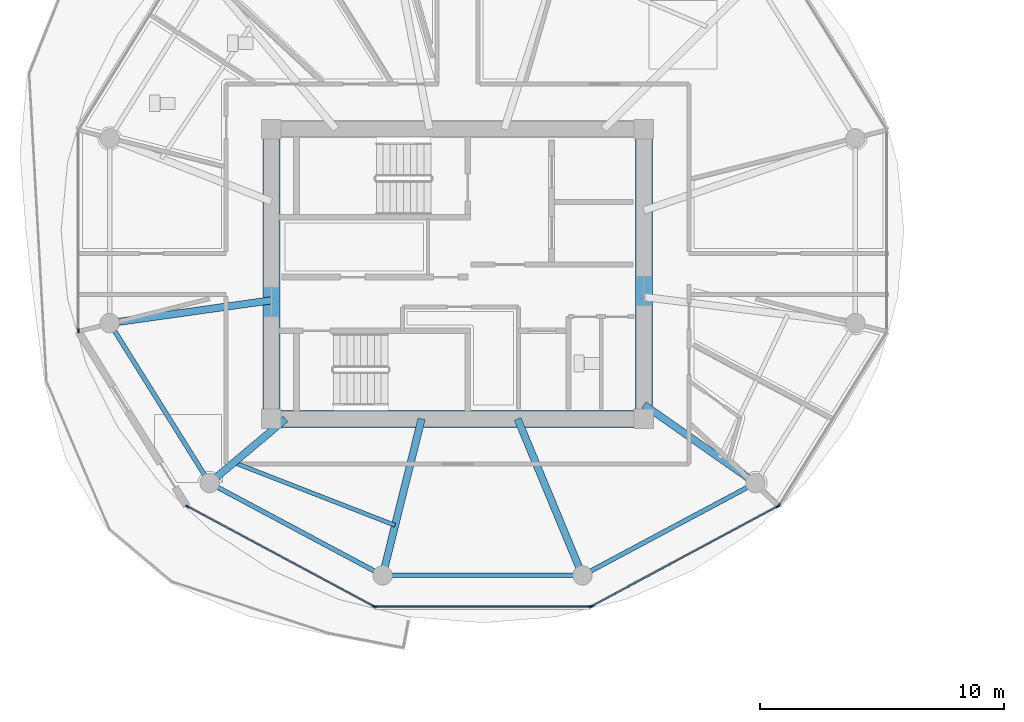
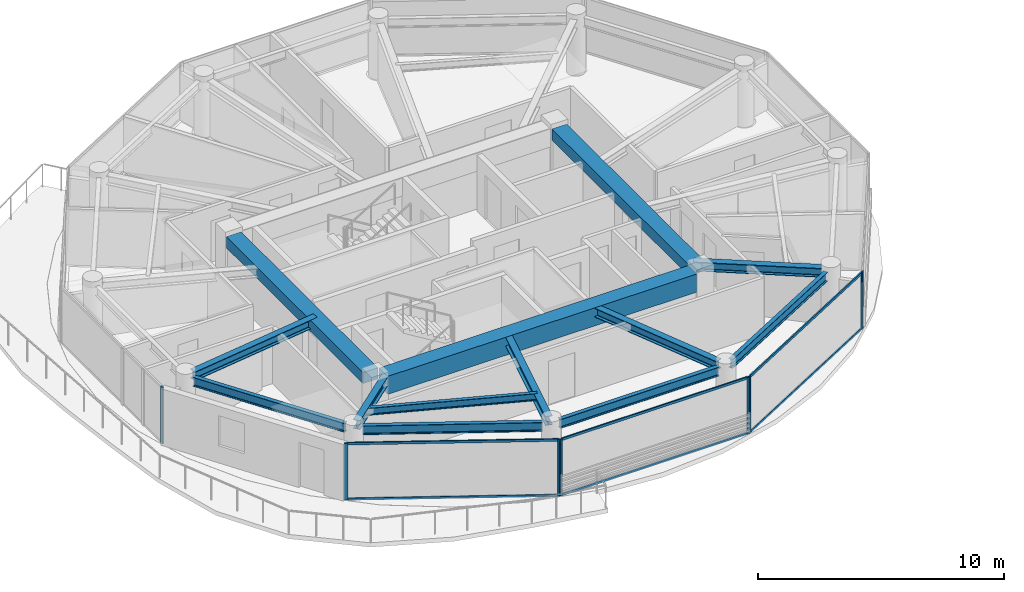
# One storey, part 2 of 25: 14 members, 13 beams, 5 elements without a shape of their own.
"""IFC4 building model written with IfcOpenShell, lengths in metres."""

from ifc_helpers import new_model, si_unit, direction, frame, origin, origin_2d, place, context, subcontext, project, spatial, rectangle, i_section, extrude, source, transform, mapped, material, layer, layer_set, material_profile, profile_set, type_object, type_shapes, element, aggregate, save


model = new_model("IFC4")

# Units and contexts
model_context = context("Model", 3, precision=1e-05, world=origin(), true_north=direction((0.0, 1.0)))
body_context = subcontext(model_context, "Body", "Model", "MODEL_VIEW")
ifc_project = project(units=[si_unit("LENGTHUNIT", "METRE"), si_unit("AREAUNIT", "SQUARE_METRE"), si_unit("VOLUMEUNIT", "CUBIC_METRE"), si_unit("PLANEANGLEUNIT", "RADIAN"), si_unit("MASSUNIT", "GRAM", prefix="KILO")], contexts=[model_context])

# Site, building, storey
site_placement = place(None, origin())
site = spatial("IfcSite", under=ifc_project, at=site_placement, CompositionType="ELEMENT")
building_placement = place(site_placement, origin())
building = spatial("IfcBuilding", under=site, at=building_placement, Name="Norrkilde Senior Care Towers", CompositionType="ELEMENT")
storey_placement = place(building_placement, frame((0.0, 0.0, 161.75)))
storey = spatial("IfcBuildingStorey", under=building, at=storey_placement, Name="L50", CompositionType="ELEMENT", Elevation=161.75)

# Beams
ifc_material_1 = material(Name="Concrete C60/75", Category="concrete")
ifc_material_profile_1 = material_profile(ifc_material_1, rectangle(XDim=0.699951171875, YDim=0.89990234375, at=origin_2d()), Name="RC BM 700x900")
ifc_profile_set_1 = profile_set([ifc_material_profile_1], Name="Concrete C60/75")
beam_type_1 = type_object("IfcBeamType", Name="Core Coupling Girder 700x900", PredefinedType="USERDEFINED", material=ifc_profile_set_1)
shared_shape_1 = source(origin(), body_context, "Body", "SweptSolid", [
    extrude(rectangle(XDim=0.699951171875, YDim=0.89990234375, at=origin_2d()), origin(), (0.0, 0.0, 1.0), 14.5400390625),
])
type_shapes(beam_type_1, [shared_shape_1])
beam_1_placement = place(storey_placement, frame((-35.27001953125, -5.949951171875, 2.360107421875), z_axis=(1.0, 0.0, 0.0), x_axis=(0.0, 1.0, 0.0)))
element("IfcBeam", 1, at=beam_1_placement, inside=storey, type_object=beam_type_1, Name="L50 Core W S Coupling Girder", ObjectType="GIRDER", PredefinedType="USERDEFINED", context=body_context, shape_type="MappedRepresentation", body=[
    mapped(shared_shape_1, transform((0.0, 0.0, 0.0), x_axis=(1.0, 0.0, 0.0), y_axis=(0.0, 1.0, 0.0), z_axis=(0.0, 0.0, 1.0), scale=1.0)),
])
ifc_material_profile_2 = material_profile(ifc_material_1, rectangle(XDim=0.699951171875, YDim=0.550048828125, at=origin_2d()), Name="RC BM 700x550")
ifc_profile_set_2 = profile_set([ifc_material_profile_2], Name="Concrete C60/75")
beam_type_2 = type_object("IfcBeamType", Name="Core Portal Coupling Beam 700x550", PredefinedType="USERDEFINED", material=ifc_profile_set_2)
shared_shape_2 = source(origin(), body_context, "Body", "SweptSolid", [
    extrude(rectangle(XDim=0.699951171875, YDim=0.550048828125, at=origin_2d()), origin(), (0.0, 0.0, 1.0), 11.14013671875),
])
type_shapes(beam_type_2, [shared_shape_2])
for number, where, z_axis, x_axis, name in (
    (2, (-35.64990234375, -5.570068359375, 2.534912109375), (0.0, 1.0, 0.0), (-1.0, 0.0, 0.0), "L50 Core W W Coupling Girder"),
    (3, (-20.35009765625, -5.570068359375, 2.534912109375), (0.0, 1.0, 0.0), (-1.0, 0.0, 0.0), "L50 Core W E Coupling Girder"),
):
    element("IfcBeam", number, at=place(storey_placement, frame(where, z_axis=z_axis, x_axis=x_axis)), inside=storey, type_object=beam_type_2, Name=name, ObjectType="GIRDER", PredefinedType="USERDEFINED", context=body_context, shape_type="MappedRepresentation", body=[
        mapped(shared_shape_2, transform((0.0, 0.0, 0.0), x_axis=(1.0, 0.0, 0.0), y_axis=(0.0, 1.0, 0.0), z_axis=(0.0, 0.0, 1.0), scale=1.0)),
    ])
ifc_material_2 = material(Name="Steel S355", Category="steel")
ifc_material_profile_3 = material_profile(ifc_material_2, i_section(OverallWidth=0.18994140625, OverallDepth=0.449951171875, WebThickness=0.009521484375, FlangeThickness=0.0146484375, FilletRadius=0.02099609375, at=origin_2d()), Name="IPE 450")
ifc_profile_set_3 = profile_set([ifc_material_profile_3], Name="Steel S355")
beam_type_3 = type_object("IfcBeamType", Name="Perimeter Ring Spandrel Z3 IPE450", PredefinedType="SPANDREL", material=ifc_profile_set_3)
shared_shape_3 = source(origin(), body_context, "Body", "SweptSolid", [
    extrude(i_section(OverallWidth=0.18994140625, OverallDepth=0.449951171875, WebThickness=0.009521484375, FlangeThickness=0.0146484375, FilletRadius=0.02099609375, at=origin_2d()), origin(), (0.0, 0.0, 1.0), 7.484619140625),
])
beam_2_placement = place(storey_placement, frame((-30.71728515625, -12.37548828125, 2.5849609375), z_axis=(1.0, 0.0, 0.0), x_axis=(0.0, 1.0, 0.0)))
element("IfcBeam", 4, at=beam_2_placement, inside=storey, type_object=beam_type_3, Name="L50 Drum W Perimeter Spandrel 09", PredefinedType="SPANDREL", context=body_context, shape_type="MappedRepresentation", body=[
    mapped(shared_shape_3, transform((0.0, 0.0, 0.0), x_axis=(1.0, 0.0, 0.0), y_axis=(0.0, 1.0, 0.0), z_axis=(0.0, 0.0, 1.0), scale=1.0)),
])
shared_shape_4 = source(origin(), body_context, "Body", "SweptSolid", [
    extrude(i_section(OverallWidth=0.18994140625, OverallDepth=0.449951171875, WebThickness=0.009521484375, FlangeThickness=0.0146484375, FilletRadius=0.02099609375, at=origin_2d()), origin(), (0.0, 0.0, 1.0), 7.023193359375),
])
beam_3_placement = place(storey_placement, frame((-42.09423828125, -2.32177734375, 2.5849609375), z_axis=(0.529805197269, -0.848119362441, 0.0), x_axis=(0.848119362441, 0.529805197269, 0.0)))
element("IfcBeam", 5, at=beam_3_placement, inside=storey, type_object=beam_type_3, Name="L50 Drum W Perimeter Spandrel 07", PredefinedType="SPANDREL", context=body_context, shape_type="MappedRepresentation", body=[
    mapped(shared_shape_4, transform((0.0, 0.0, 0.0), x_axis=(1.0, 0.0, 0.0), y_axis=(0.0, 1.0, 0.0), z_axis=(0.0, 0.0, 1.0), scale=1.0)),
])
ifc_material_profile_4 = material_profile(ifc_material_2, i_section(OverallWidth=0.300048828125, OverallDepth=0.449951171875, WebThickness=0.013916015625, FlangeThickness=0.02587890625, FilletRadius=0.027099609375, at=origin_2d()), Name="HEB 450")
ifc_profile_set_4 = profile_set([ifc_material_profile_4], Name="Steel S355")
beam_type_4 = type_object("IfcBeamType", Name="Radial Floor Beam Z3 HEB450", PredefinedType="BEAM", material=ifc_profile_set_4)
shared_shape_5 = source(origin(), body_context, "Body", "SweptSolid", [
    extrude(i_section(OverallWidth=0.300048828125, OverallDepth=0.449951171875, WebThickness=0.013916015625, FlangeThickness=0.02587890625, FilletRadius=0.027099609375, at=origin_2d()), origin(), (0.0, 0.0, 1.0), 6.3408203125),
])
beam_4_placement = place(storey_placement, frame((-35.64990234375, -1.079833984375, 2.5849609375), z_axis=(-0.990184519576, -0.139766294905, 0.0), x_axis=(0.139766294905, -0.990184519576, 0.0)))
element("IfcBeam", 6, at=beam_4_placement, inside=storey, type_object=beam_type_4, Name="L50 Drum W Radial Floor Beam 07", PredefinedType="BEAM", context=body_context, shape_type="MappedRepresentation", body=[
    mapped(shared_shape_5, transform((0.0, 0.0, 0.0), x_axis=(1.0, 0.0, 0.0), y_axis=(0.0, 1.0, 0.0), z_axis=(0.0, 0.0, 1.0), scale=1.0)),
])
shared_shape_6 = source(origin(), body_context, "Body", "SweptSolid", [
    extrude(i_section(OverallWidth=0.18994140625, OverallDepth=0.449951171875, WebThickness=0.009521484375, FlangeThickness=0.0146484375, FilletRadius=0.02099609375, at=origin_2d()), origin(), (0.0, 0.0, 1.0), 7.333984375),
])
type_shapes(beam_type_3, [shared_shape_3, shared_shape_4, shared_shape_6])
for number, where, z_axis, x_axis, name in (
    (7, (-37.864990234375, -8.753173828125, 2.5849609375), (0.882234038987, -0.470811109101, 0.0), (0.470811109101, 0.882234038987, 0.0), "L50 Drum W Perimeter Spandrel 08"),
    (8, (-22.55517578125, -12.2060546875, 2.5849609375), (0.882234038987, 0.470811109101, 0.0), (-0.470811109101, 0.882234038987, 0.0), "L50 Drum W Perimeter Spandrel 10"),
):
    element("IfcBeam", number, at=place(storey_placement, frame(where, z_axis=z_axis, x_axis=x_axis)), inside=storey, type_object=beam_type_3, Name=name, PredefinedType="SPANDREL", context=body_context, shape_type="MappedRepresentation", body=[
        mapped(shared_shape_6, transform((0.0, 0.0, 0.0), x_axis=(1.0, 0.0, 0.0), y_axis=(0.0, 1.0, 0.0), z_axis=(0.0, 0.0, 1.0), scale=1.0)),
    ])
shared_shape_7 = source(origin(), body_context, "Body", "SweptSolid", [
    extrude(i_section(OverallWidth=0.300048828125, OverallDepth=0.449951171875, WebThickness=0.013916015625, FlangeThickness=0.02587890625, FilletRadius=0.027099609375, at=origin_2d()), origin(), (0.0, 0.0, 1.0), 3.7265625),
])
beam_5_placement = place(storey_placement, frame((-35.058349609375, -5.949951171875, 2.5849609375), z_axis=(-0.764567902106, -0.644543189453, 0.0), x_axis=(0.644543189453, -0.764567902106, 0.0)))
element("IfcBeam", 9, at=beam_5_placement, inside=storey, type_object=beam_type_4, Name="L50 Drum W Radial Floor Beam 08", PredefinedType="BEAM", context=body_context, shape_type="MappedRepresentation", body=[
    mapped(shared_shape_7, transform((0.0, 0.0, 0.0), x_axis=(1.0, 0.0, 0.0), y_axis=(0.0, 1.0, 0.0), z_axis=(0.0, 0.0, 1.0), scale=1.0)),
])
shared_shape_8 = source(origin(), body_context, "Body", "SweptSolid", [
    extrude(i_section(OverallWidth=0.300048828125, OverallDepth=0.449951171875, WebThickness=0.013916015625, FlangeThickness=0.02587890625, FilletRadius=0.027099609375, at=origin_2d()), origin(), (0.0, 0.0, 1.0), 6.26123046875),
])
beam_6_placement = place(storey_placement, frame((-29.4794921875, -5.949951171875, 2.5849609375), z_axis=(-0.241324375921, -0.970444509277, 0.0), x_axis=(0.970444509277, -0.241324375921, 0.0)))
element("IfcBeam", 10, at=beam_6_placement, inside=storey, type_object=beam_type_4, Name="L50 Drum W Radial Floor Beam 09", PredefinedType="BEAM", context=body_context, shape_type="MappedRepresentation", body=[
    mapped(shared_shape_8, transform((0.0, 0.0, 0.0), x_axis=(1.0, 0.0, 0.0), y_axis=(0.0, 1.0, 0.0), z_axis=(0.0, 0.0, 1.0), scale=1.0)),
])
shared_shape_9 = source(origin(), body_context, "Body", "SweptSolid", [
    extrude(i_section(OverallWidth=0.300048828125, OverallDepth=0.449951171875, WebThickness=0.013916015625, FlangeThickness=0.02587890625, FilletRadius=0.027099609375, at=origin_2d()), origin(), (0.0, 0.0, 1.0), 6.59521484375),
])
beam_7_placement = place(storey_placement, frame((-25.534912109375, -5.949951171875, 2.5849609375), z_axis=(0.382761541363, -0.923847174836, 0.0), x_axis=(0.923847174836, 0.382761541363, 0.0)))
element("IfcBeam", 11, at=beam_7_placement, inside=storey, type_object=beam_type_4, Name="L50 Drum W Radial Floor Beam 10", PredefinedType="BEAM", context=body_context, shape_type="MappedRepresentation", body=[
    mapped(shared_shape_9, transform((0.0, 0.0, 0.0), x_axis=(1.0, 0.0, 0.0), y_axis=(0.0, 1.0, 0.0), z_axis=(0.0, 0.0, 1.0), scale=1.0)),
])
shared_shape_10 = source(origin(), body_context, "Body", "SweptSolid", [
    extrude(i_section(OverallWidth=0.300048828125, OverallDepth=0.449951171875, WebThickness=0.013916015625, FlangeThickness=0.02587890625, FilletRadius=0.027099609375, at=origin_2d()), origin(), (0.0, 0.0, 1.0), 5.23828125),
])
type_shapes(beam_type_4, [shared_shape_5, shared_shape_7, shared_shape_8, shared_shape_9, shared_shape_10])
beam_8_placement = place(storey_placement, frame((-20.35009765625, -5.3681640625, 2.5849609375), z_axis=(0.818592061291, -0.574375345215, 0.0), x_axis=(0.574375345215, 0.818592061291, 0.0)))
element("IfcBeam", 12, at=beam_8_placement, inside=storey, type_object=beam_type_4, Name="L50 Drum W Radial Floor Beam 11", PredefinedType="BEAM", context=body_context, shape_type="MappedRepresentation", body=[
    mapped(shared_shape_10, transform((0.0, 0.0, 0.0), x_axis=(1.0, 0.0, 0.0), y_axis=(0.0, 1.0, 0.0), z_axis=(0.0, 0.0, 1.0), scale=1.0)),
])
ifc_material_profile_5 = material_profile(ifc_material_2, i_section(OverallWidth=0.169921875, OverallDepth=0.360107421875, WebThickness=0.008056640625, FlangeThickness=0.0126953125, FilletRadius=0.01806640625, at=origin_2d()), Name="IPE 360")
ifc_profile_set_5 = profile_set([ifc_material_profile_5], Name="Steel S355")
beam_type_5 = type_object("IfcBeamType", Name="Secondary Floor Joist IPE360", PredefinedType="JOIST", material=ifc_profile_set_5)
shared_shape_11 = source(origin(), body_context, "Body", "SweptSolid", [
    extrude(i_section(OverallWidth=0.169921875, OverallDepth=0.360107421875, WebThickness=0.008056640625, FlangeThickness=0.0126953125, FilletRadius=0.01806640625, at=origin_2d()), origin(), (0.0, 0.0, 1.0), 7.1015625),
])
type_shapes(beam_type_5, [shared_shape_11])
beam_9_placement = place(storey_placement, frame((-37.182861328125, -7.740966796875, 2.6298828125), z_axis=(0.931761231292, -0.363071629106, 0.0), x_axis=(0.363071629106, 0.931761231292, 0.0)))
element("IfcBeam", 13, at=beam_9_placement, inside=storey, type_object=beam_type_5, Name="L50 Drum W Secondary Floor Joist 3", PredefinedType="JOIST", context=body_context, shape_type="MappedRepresentation", body=[
    mapped(shared_shape_11, transform((0.0, 0.0, 0.0), x_axis=(1.0, 0.0, 0.0), y_axis=(0.0, 1.0, 0.0), z_axis=(0.0, 0.0, 1.0), scale=1.0)),
])

# Curtain wall, member
ifc_material_3 = material(Name="Triple Low-E Insulated Glazing", Category="glass")
ifc_layer = layer(ifc_material_3, 0.18994140625)
ifc_layer_set = layer_set([ifc_layer], Name="Triple Low-E Insulated Glazing")
curtain_wall_type = type_object("IfcCurtainWallType", Name="CW4 Zone 3 Senior Residence Curtain Wall", PredefinedType="NOTDEFINED", material=ifc_layer_set)
curtain_wall_1_placement = place(storey_placement, origin())
curtain_wall_1 = element("IfcCurtainWall", 14, at=curtain_wall_1_placement, inside=storey, type_object=curtain_wall_type, Name="L50 Drum W Curtain Wall 05", PredefinedType="NOTDEFINED")
ifc_material_4 = material(Name="Anodised Aluminium", Category="aluminium")
ifc_material_profile_6 = material_profile(ifc_material_4, rectangle(XDim=0.06494140625, YDim=0.14990234375, at=origin_2d()), Name="ALU MULL 65x150")
ifc_profile_set_6 = profile_set([ifc_material_profile_6], Name="Anodised Aluminium")
member_type_1 = type_object("IfcMemberType", Name="Curtain Wall Mullion Z3-Z4 65x150", PredefinedType="MULLION", material=ifc_profile_set_6)
shared_shape_12 = source(origin(), body_context, "Body", "SweptSolid", [
    extrude(rectangle(XDim=0.06494140625, YDim=0.14990234375, at=origin_2d()), origin(), (0.0, 0.0, 1.0), 2.81005859375),
])
type_shapes(member_type_1, [shared_shape_12])
member_1_placement = place(storey_placement, frame((-43.569580078125, -2.328125, 0.0), z_axis=(0.0, 0.0, 1.0), x_axis=(-1.0, 0.0, 0.0)))
member_1 = element("IfcMember", 15, at=member_1_placement, type_object=member_type_1, Name="CW-4 mullion 1", PredefinedType="MULLION", context=body_context, shape_type="MappedRepresentation", body=[
    mapped(shared_shape_12, transform((0.0, 0.0, 0.0), x_axis=(1.0, 0.0, 0.0), y_axis=(0.0, 1.0, 0.0), z_axis=(0.0, 0.0, 1.0), scale=1.0)),
])
aggregate(curtain_wall_1, [member_1])

# Curtain wall, members
curtain_wall_2_placement = place(storey_placement, origin())
curtain_wall_2 = element("IfcCurtainWall", 16, at=curtain_wall_2_placement, inside=storey, type_object=curtain_wall_type, Name="L50 Drum W Curtain Wall 07", PredefinedType="NOTDEFINED")
member_2_placement = place(storey_placement, frame((-31.4501953125, -13.644775390625, 0.0), z_axis=(0.0, 0.0, 1.0), x_axis=(-0.47311715104, -0.880999524059, 0.0)))
member_2 = element("IfcMember", 17, at=member_2_placement, type_object=member_type_1, Name="CW-4 mullion 1", PredefinedType="MULLION", context=body_context, shape_type="MappedRepresentation", body=[
    mapped(shared_shape_12, transform((0.0, 0.0, 0.0), x_axis=(1.0, 0.0, 0.0), y_axis=(0.0, 1.0, 0.0), z_axis=(0.0, 0.0, 1.0), scale=1.0)),
])
member_3_placement = place(storey_placement, frame((-39.094482421875, -9.53955078125, 0.0), z_axis=(0.0, 0.0, 1.0), x_axis=(-0.47311715104, -0.880999524059, 0.0)))
member_3 = element("IfcMember", 18, at=member_3_placement, type_object=member_type_1, Name="CW-4 mullion 2", PredefinedType="MULLION", context=body_context, shape_type="MappedRepresentation", body=[
    mapped(shared_shape_12, transform((0.0, 0.0, 0.0), x_axis=(1.0, 0.0, 0.0), y_axis=(0.0, 1.0, 0.0), z_axis=(0.0, 0.0, 1.0), scale=1.0)),
])

curtain_wall_3_placement = place(storey_placement, origin())
curtain_wall_3 = element("IfcCurtainWall", 19, at=curtain_wall_3_placement, inside=storey, type_object=curtain_wall_type, Name="L50 Drum W Curtain Wall 08", PredefinedType="NOTDEFINED")
member_4_placement = place(storey_placement, frame((-22.56103515625, -13.66015625, 0.0), z_axis=(0.0, 0.0, 1.0), x_axis=(0.0, -1.0, 0.0)))
member_4 = element("IfcMember", 20, at=member_4_placement, type_object=member_type_1, Name="CW-4 mullion 1", PredefinedType="MULLION", context=body_context, shape_type="MappedRepresentation", body=[
    mapped(shared_shape_12, transform((0.0, 0.0, 0.0), x_axis=(1.0, 0.0, 0.0), y_axis=(0.0, 1.0, 0.0), z_axis=(0.0, 0.0, 1.0), scale=1.0)),
])
member_5_placement = place(storey_placement, frame((-31.388916015625, -13.66015625, 0.0), z_axis=(0.0, 0.0, 1.0), x_axis=(0.0, -1.0, 0.0)))
member_5 = element("IfcMember", 21, at=member_5_placement, type_object=member_type_1, Name="CW-4 mullion 2", PredefinedType="MULLION", context=body_context, shape_type="MappedRepresentation", body=[
    mapped(shared_shape_12, transform((0.0, 0.0, 0.0), x_axis=(1.0, 0.0, 0.0), y_axis=(0.0, 1.0, 0.0), z_axis=(0.0, 0.0, 1.0), scale=1.0)),
])

curtain_wall_4_placement = place(storey_placement, origin())
curtain_wall_4 = element("IfcCurtainWall", 22, at=curtain_wall_4_placement, inside=storey, type_object=curtain_wall_type, Name="L50 Drum W Curtain Wall 09", PredefinedType="NOTDEFINED")
member_6_placement = place(storey_placement, frame((-14.85546875, -9.53955078125, 0.0), z_axis=(0.0, 0.0, 1.0), x_axis=(0.47311715104, -0.880999524059, 0.0)))
member_6 = element("IfcMember", 23, at=member_6_placement, type_object=member_type_1, Name="CW-4 mullion 1", PredefinedType="MULLION", context=body_context, shape_type="MappedRepresentation", body=[
    mapped(shared_shape_12, transform((0.0, 0.0, 0.0), x_axis=(1.0, 0.0, 0.0), y_axis=(0.0, 1.0, 0.0), z_axis=(0.0, 0.0, 1.0), scale=1.0)),
])
member_7_placement = place(storey_placement, frame((-22.499755859375, -13.644775390625, 0.0), z_axis=(0.0, 0.0, 1.0), x_axis=(0.47311715104, -0.880999524059, 0.0)))
member_7 = element("IfcMember", 24, at=member_7_placement, type_object=member_type_1, Name="CW-4 mullion 2", PredefinedType="MULLION", context=body_context, shape_type="MappedRepresentation", body=[
    mapped(shared_shape_12, transform((0.0, 0.0, 0.0), x_axis=(1.0, 0.0, 0.0), y_axis=(0.0, 1.0, 0.0), z_axis=(0.0, 0.0, 1.0), scale=1.0)),
])

# Curtain wall, member
curtain_wall_5_placement = place(storey_placement, origin())
curtain_wall_5 = element("IfcCurtainWall", 25, at=curtain_wall_5_placement, inside=storey, type_object=curtain_wall_type, Name="L50 Drum W Curtain Wall 10", PredefinedType="NOTDEFINED")
member_8_placement = place(storey_placement, frame((-14.809814453125, -9.49658203125, 0.0), z_axis=(0.0, 0.0, 1.0), x_axis=(0.84963405474, -0.52737270789, 0.0)))
member_8 = element("IfcMember", 26, at=member_8_placement, type_object=member_type_1, Name="CW-4 mullion 2", PredefinedType="MULLION", context=body_context, shape_type="MappedRepresentation", body=[
    mapped(shared_shape_12, transform((0.0, 0.0, 0.0), x_axis=(1.0, 0.0, 0.0), y_axis=(0.0, 1.0, 0.0), z_axis=(0.0, 0.0, 1.0), scale=1.0)),
])
aggregate(curtain_wall_5, [member_8])

# Member
ifc_material_profile_7 = material_profile(ifc_material_4, rectangle(XDim=0.06005859375, YDim=0.1201171875, at=origin_2d()), Name="ALU TRAN 60x120")
ifc_profile_set_7 = profile_set([ifc_material_profile_7], Name="Anodised Aluminium")
member_type_2 = type_object("IfcMemberType", Name="Curtain Wall Transom Typical 60x120", PredefinedType="USERDEFINED", material=ifc_profile_set_7)
shared_shape_13 = source(origin(), body_context, "Body", "SweptSolid", [
    extrude(rectangle(XDim=0.06005859375, YDim=0.1201171875, at=origin_2d()), origin(), (0.0, 0.0, 1.0), 8.61181640625),
])
member_9_placement = place(storey_placement, frame((-14.88427734375, -9.554931640625, 0.030029296875), z_axis=(-0.880993991641, -0.473127452906, 0.0), x_axis=(0.473127452906, -0.880993991641, 0.0)))
member_9 = element("IfcMember", 27, at=member_9_placement, type_object=member_type_2, Name="CW-4 transom 1.1", ObjectType="TRANSOM", PredefinedType="USERDEFINED", context=body_context, shape_type="MappedRepresentation", body=[
    mapped(shared_shape_13, transform((0.0, 0.0, 0.0), x_axis=(1.0, 0.0, 0.0), y_axis=(0.0, 1.0, 0.0), z_axis=(0.0, 0.0, 1.0), scale=1.0)),
])

member_10_placement = place(storey_placement, frame((-14.88427734375, -9.554931640625, 2.780029296875), z_axis=(-0.880993991641, -0.473127452906, 0.0), x_axis=(0.473127452906, -0.880993991641, 0.0)))
member_10 = element("IfcMember", 28, at=member_10_placement, type_object=member_type_2, Name="CW-4 transom 1.2", ObjectType="TRANSOM", PredefinedType="USERDEFINED", context=body_context, shape_type="MappedRepresentation", body=[
    mapped(shared_shape_13, transform((0.0, 0.0, 0.0), x_axis=(1.0, 0.0, 0.0), y_axis=(0.0, 1.0, 0.0), z_axis=(0.0, 0.0, 1.0), scale=1.0)),
])

aggregate(curtain_wall_4, [member_6, member_7, member_9, member_10])

shared_shape_14 = source(origin(), body_context, "Body", "SweptSolid", [
    extrude(rectangle(XDim=0.06005859375, YDim=0.1201171875, at=origin_2d()), origin(), (0.0, 0.0, 1.0), 8.762939453125),
])
member_11_placement = place(storey_placement, frame((-22.593505859375, -13.66015625, 0.030029296875), z_axis=(-1.0, 0.0, 0.0), x_axis=(0.0, -1.0, 0.0)))
member_11 = element("IfcMember", 29, at=member_11_placement, type_object=member_type_2, Name="CW-4 transom 1.1", ObjectType="TRANSOM", PredefinedType="USERDEFINED", context=body_context, shape_type="MappedRepresentation", body=[
    mapped(shared_shape_14, transform((0.0, 0.0, 0.0), x_axis=(1.0, 0.0, 0.0), y_axis=(0.0, 1.0, 0.0), z_axis=(0.0, 0.0, 1.0), scale=1.0)),
])

member_12_placement = place(storey_placement, frame((-22.593505859375, -13.66015625, 2.780029296875), z_axis=(-1.0, 0.0, 0.0), x_axis=(0.0, -1.0, 0.0)))
member_12 = element("IfcMember", 30, at=member_12_placement, type_object=member_type_2, Name="CW-4 transom 1.2", ObjectType="TRANSOM", PredefinedType="USERDEFINED", context=body_context, shape_type="MappedRepresentation", body=[
    mapped(shared_shape_14, transform((0.0, 0.0, 0.0), x_axis=(1.0, 0.0, 0.0), y_axis=(0.0, 1.0, 0.0), z_axis=(0.0, 0.0, 1.0), scale=1.0)),
])

aggregate(curtain_wall_3, [member_4, member_5, member_11, member_12])

shared_shape_15 = source(origin(), body_context, "Body", "SweptSolid", [
    extrude(rectangle(XDim=0.06005859375, YDim=0.1201171875, at=origin_2d()), origin(), (0.0, 0.0, 1.0), 8.612060546875),
])
type_shapes(member_type_2, [shared_shape_13, shared_shape_14, shared_shape_15])
member_13_placement = place(storey_placement, frame((-31.478759765625, -13.62939453125, 0.030029296875), z_axis=(-0.881000337462, 0.473115636384, 0.0), x_axis=(-0.473115636384, -0.881000337462, 0.0)))
member_13 = element("IfcMember", 31, at=member_13_placement, type_object=member_type_2, Name="CW-4 transom 1.1", ObjectType="TRANSOM", PredefinedType="USERDEFINED", context=body_context, shape_type="MappedRepresentation", body=[
    mapped(shared_shape_15, transform((0.0, 0.0, 0.0), x_axis=(1.0, 0.0, 0.0), y_axis=(0.0, 1.0, 0.0), z_axis=(0.0, 0.0, 1.0), scale=1.0)),
])

member_14_placement = place(storey_placement, frame((-31.478759765625, -13.62939453125, 2.780029296875), z_axis=(-0.881000337462, 0.473115636384, 0.0), x_axis=(-0.473115636384, -0.881000337462, 0.0)))
member_14 = element("IfcMember", 32, at=member_14_placement, type_object=member_type_2, Name="CW-4 transom 1.2", ObjectType="TRANSOM", PredefinedType="USERDEFINED", context=body_context, shape_type="MappedRepresentation", body=[
    mapped(shared_shape_15, transform((0.0, 0.0, 0.0), x_axis=(1.0, 0.0, 0.0), y_axis=(0.0, 1.0, 0.0), z_axis=(0.0, 0.0, 1.0), scale=1.0)),
])

aggregate(curtain_wall_2, [member_2, member_3, member_13, member_14])

save(model, "model.ifc")
